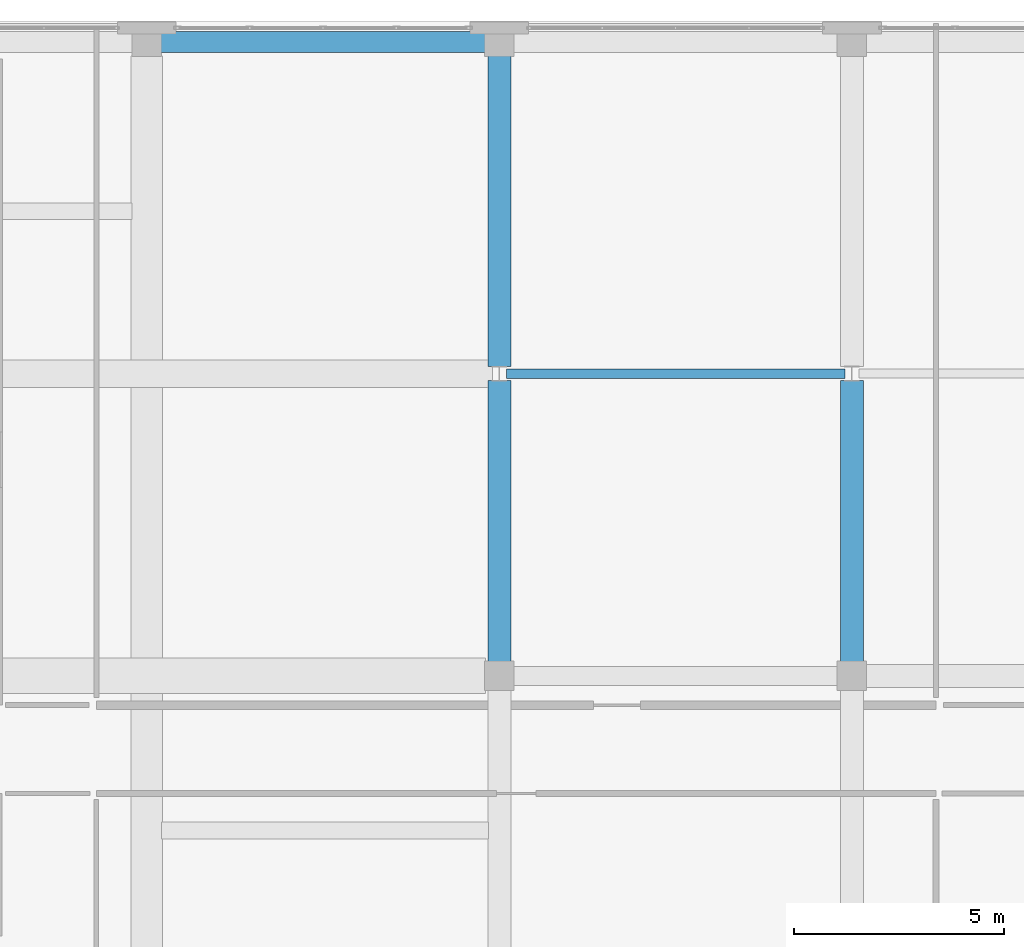
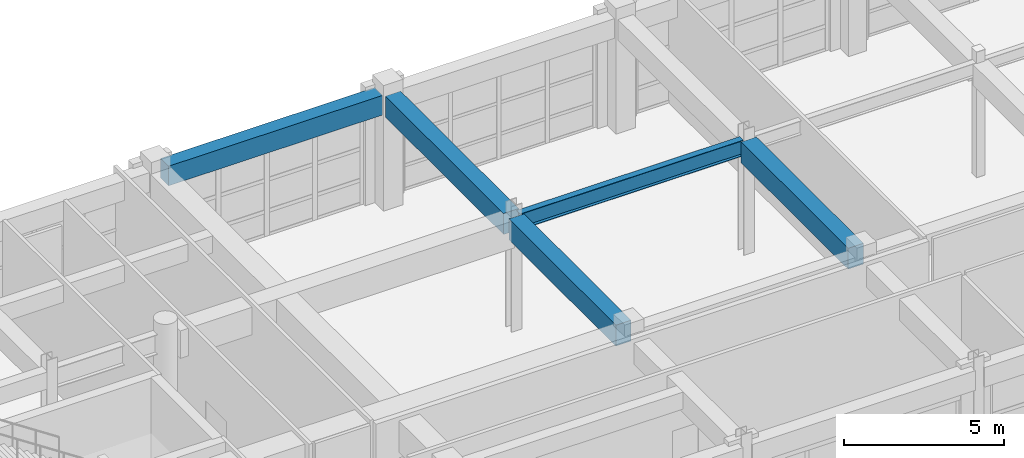
# One storey, part 81 of 123: 5 beams.
"""IFC4 building model written with IfcOpenShell, lengths in metres."""

from ifc_helpers import new_model, si_unit, direction, frame, origin, origin_2d, place, context, subcontext, project, spatial, rectangle, i_section, extrude, material, material_profile, profile_set, type_object, element, save


model = new_model("IFC4")

# Units and contexts
model_context = context("Model", 3, precision=1e-05, world=origin(), true_north=direction((0.0, 1.0)))
body_context = subcontext(model_context, "Body", "Model", "MODEL_VIEW")
ifc_project = project(units=[si_unit("LENGTHUNIT", "METRE"), si_unit("AREAUNIT", "SQUARE_METRE"), si_unit("VOLUMEUNIT", "CUBIC_METRE"), si_unit("PLANEANGLEUNIT", "RADIAN"), si_unit("MASSUNIT", "GRAM", prefix="KILO")], contexts=[model_context])

# Site, building, storey
site_placement = place(None, origin())
site = spatial("IfcSite", under=ifc_project, at=site_placement, CompositionType="ELEMENT")
building_placement = place(site_placement, origin())
building = spatial("IfcBuilding", under=site, at=building_placement, Name="Quendrovan Civic Courthouse", CompositionType="ELEMENT")
storey_placement = place(building_placement, frame((0.0, 0.0, 5.39990234375)))
storey = spatial("IfcBuildingStorey", under=building, at=storey_placement, Name="L02", CompositionType="ELEMENT", Elevation=5.39990234375)

# Beams
ifc_material_1 = material(Name="Concrete C40/50", Category="concrete")
ifc_material_profile_1 = material_profile(ifc_material_1, rectangle(XDim=0.5, YDim=0.75, at=origin_2d()), Name="RC-BM-500x750")
ifc_profile_set_1 = profile_set([ifc_material_profile_1], Name="Concrete C40/50")
beam_type_1 = type_object("IfcBeamType", Name="BM-RC750", PredefinedType="SPANDREL", material=ifc_profile_set_1)
beam_1_placement = place(storey_placement, frame((126.330078125, 109.89990234375, 3.985107421875), z_axis=(1.0, 0.0, 0.0), x_axis=(0.0, 1.0, 0.0)))
element("IfcBeam", 1, at=beam_1_placement, inside=storey, type_object=beam_type_1, Name="L02 Girder X0601", PredefinedType="SPANDREL", context=body_context, shape_type="SweptSolid", body=[
    extrude(rectangle(XDim=0.5, YDim=0.75, at=origin_2d()), origin(), (0.0, 0.0, 1.0), 7.739990234375),
])
ifc_material_profile_2 = material_profile(ifc_material_1, rectangle(XDim=0.550048828125, YDim=0.800048828125, at=origin_2d()), Name="RC-BM-550x800")
ifc_profile_set_2 = profile_set([ifc_material_profile_2], Name="Concrete C40/50")
beam_type_2 = type_object("IfcBeamType", Name="BM-RC800", PredefinedType="BEAM", material=ifc_profile_set_2)
beam_2_placement = place(storey_placement, frame((134.39990234375, 95.1298828125, 3.960205078125), z_axis=(0.0, 1.0, 0.0), x_axis=(-1.0, 0.0, 0.0)))
element("IfcBeam", 2, at=beam_2_placement, inside=storey, type_object=beam_type_2, Name="L02 Girder Y0700", PredefinedType="BEAM", context=body_context, shape_type="SweptSolid", body=[
    extrude(rectangle(XDim=0.550048828125, YDim=0.800048828125, at=origin_2d()), origin(), (0.0, 0.0, 1.0), 6.7041015625),
])
beam_3_placement = place(storey_placement, frame((134.39990234375, 102.166015625, 3.960205078125), z_axis=(0.0, 1.0, 0.0), x_axis=(-1.0, 0.0, 0.0)))
element("IfcBeam", 3, at=beam_3_placement, inside=storey, type_object=beam_type_2, Name="L02 Girder Y0701", PredefinedType="BEAM", context=body_context, shape_type="SweptSolid", body=[
    extrude(rectangle(XDim=0.550048828125, YDim=0.800048828125, at=origin_2d()), origin(), (0.0, 0.0, 1.0), 7.404052734375),
])
beam_4_placement = place(storey_placement, frame((142.800048828125, 95.1298828125, 3.960205078125), z_axis=(0.0, 1.0, 0.0), x_axis=(-1.0, 0.0, 0.0)))
element("IfcBeam", 4, at=beam_4_placement, inside=storey, type_object=beam_type_2, Name="L02 Girder Y0703", PredefinedType="BEAM", context=body_context, shape_type="SweptSolid", body=[
    extrude(rectangle(XDim=0.550048828125, YDim=0.800048828125, at=origin_2d()), origin(), (0.0, 0.0, 1.0), 6.7041015625),
])
ifc_material_2 = material(Name="Steel ASTM A992 Grade 50", Category="steel")
ifc_material_profile_3 = material_profile(ifc_material_2, i_section(OverallWidth=0.22802734375, OverallDepth=0.60693359375, WebThickness=0.01123046875, FlangeThickness=0.017333984375, at=origin_2d()), Name="W24X76")
ifc_profile_set_3 = profile_set([ifc_material_profile_3], Name="Steel ASTM A992 Grade 50")
beam_type_3 = type_object("IfcBeamType", Name="BM-STL-W24", PredefinedType="BEAM", material=ifc_profile_set_3)
beam_5_placement = place(storey_placement, frame((134.56689453125, 102.0, 4.056640625), z_axis=(1.0, 0.0, 0.0), x_axis=(0.0, 1.0, 0.0)))
element("IfcBeam", 5, at=beam_5_placement, inside=storey, type_object=beam_type_3, Name="L02 Girder X0588", PredefinedType="BEAM", context=body_context, shape_type="SweptSolid", body=[
    extrude(i_section(OverallWidth=0.22802734375, OverallDepth=0.60693359375, WebThickness=0.01123046875, FlangeThickness=0.017333984375, at=origin_2d()), origin(), (0.0, 0.0, 1.0), 8.066162109375),
])

save(model, "model.ifc")
